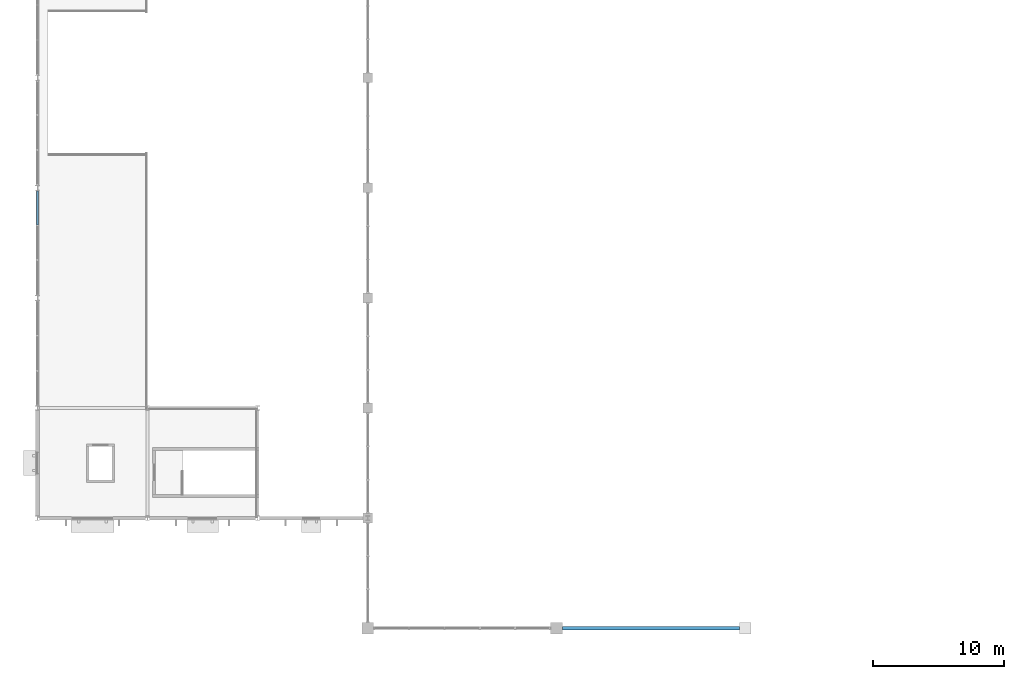
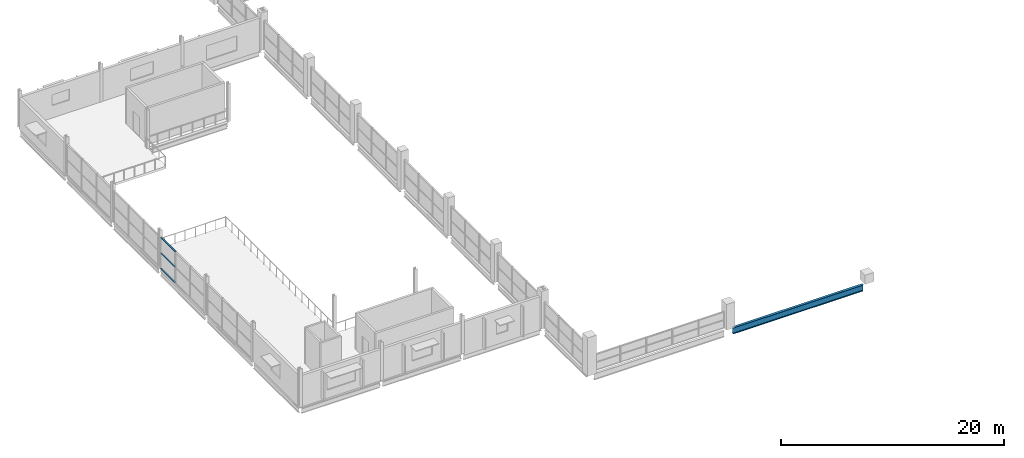
# One storey, part 17 of 68: 3 members, 1 beam, 1 element without a shape of its own.
"""IFC4 building model written with IfcOpenShell, lengths in metres."""

from ifc_helpers import new_model, si_unit, direction, frame, origin, origin_2d, place, context, subcontext, project, spatial, hollow_rectangle, i_section, extrude, material, material_profile, profile_set, type_object, element, aggregate, save


model = new_model("IFC4")

# Units and contexts
model_context = context("Model", 3, precision=1e-05, world=origin(), true_north=direction((0.0, 1.0)))
body_context = subcontext(model_context, "Body", "Model", "MODEL_VIEW")
ifc_project = project(units=[si_unit("LENGTHUNIT", "METRE"), si_unit("AREAUNIT", "SQUARE_METRE"), si_unit("VOLUMEUNIT", "CUBIC_METRE"), si_unit("PLANEANGLEUNIT", "RADIAN"), si_unit("MASSUNIT", "GRAM", prefix="KILO"), si_unit("THERMODYNAMICTEMPERATUREUNIT", "KELVIN")], contexts=[model_context])

# Site, building, storey
site_placement = place(None, origin())
site = spatial("IfcSite", under=ifc_project, at=site_placement, CompositionType="ELEMENT")
building_placement = place(site_placement, origin())
building = spatial("IfcBuilding", under=site, at=building_placement, Name="Nduvali Passage Aquatics Centre", CompositionType="ELEMENT")
storey_placement = place(building_placement, frame((0.0, 0.0, 13.199951171875)))
storey = spatial("IfcBuildingStorey", under=building, at=storey_placement, Name="L03", CompositionType="ELEMENT", Elevation=13.199951171875)

# Curtain wall, members
ifc_material_1 = material(Name="Aluminium EN AW-6063 T6", Category="aluminium")
curtain_wall_type = type_object("IfcCurtainWallType", Name="ENV-CW-DIVE", PredefinedType="NOTDEFINED", material=ifc_material_1)
curtain_wall_placement = place(storey_placement, origin())
curtain_wall = element("IfcCurtainWall", 1, at=curtain_wall_placement, inside=storey, type_object=curtain_wall_type, Name="L03 West Diving 10m Tower Clerestory CW 135", PredefinedType="NOTDEFINED")
ifc_material_profile_1 = material_profile(ifc_material_1, hollow_rectangle(XDim=0.14990234375, YDim=0.06005859375, WallThickness=0.00390625, at=origin_2d()), Name="ALU TRANSOM 150x60x4")
ifc_profile_set_1 = profile_set([ifc_material_profile_1], Name="Aluminium EN AW-6063 T6")
member_type = type_object("IfcMemberType", Name="ENV-MEM-TRN80", PredefinedType="USERDEFINED", material=ifc_profile_set_1)
member_1_placement = place(storey_placement, frame((0.0, 55.96337890625, 0.030029296875), z_axis=(0.0, 1.0, 0.0), x_axis=(-1.0, 0.0, 0.0)))
member_1 = element("IfcMember", 2, at=member_1_placement, type_object=member_type, Name="West Diving 10m Tower Clerestory CW Transom B3-R0", ObjectType="TRANSOM", PredefinedType="USERDEFINED", context=body_context, shape_type="SweptSolid", body=[
    extrude(hollow_rectangle(XDim=0.14990234375, YDim=0.06005859375, WallThickness=0.00390625, at=origin_2d()), origin(), (0.0, 0.0, 1.0), 2.57666015625),
])
member_2_placement = place(storey_placement, frame((0.0, 55.96337890625, 1.71337890625), z_axis=(0.0, 1.0, 0.0), x_axis=(-1.0, 0.0, 0.0)))
member_2 = element("IfcMember", 3, at=member_2_placement, type_object=member_type, Name="West Diving 10m Tower Clerestory CW Transom B3-R1", ObjectType="TRANSOM", PredefinedType="USERDEFINED", context=body_context, shape_type="SweptSolid", body=[
    extrude(hollow_rectangle(XDim=0.14990234375, YDim=0.06005859375, WallThickness=0.00390625, at=origin_2d()), origin(), (0.0, 0.0, 1.0), 2.57666015625),
])
member_3_placement = place(storey_placement, frame((0.0, 55.96337890625, 3.396728515625), z_axis=(0.0, 1.0, 0.0), x_axis=(-1.0, 0.0, 0.0)))
member_3 = element("IfcMember", 4, at=member_3_placement, type_object=member_type, Name="West Diving 10m Tower Clerestory CW Transom B3-R2", ObjectType="TRANSOM", PredefinedType="USERDEFINED", context=body_context, shape_type="SweptSolid", body=[
    extrude(hollow_rectangle(XDim=0.14990234375, YDim=0.06005859375, WallThickness=0.00390625, at=origin_2d()), origin(), (0.0, 0.0, 1.0), 2.57666015625),
])
aggregate(curtain_wall, [member_1, member_2, member_3])

# Beam
ifc_material_2 = material(Name="Steel S355", Category="steel")
ifc_material_profile_2 = material_profile(ifc_material_2, i_section(OverallWidth=0.253662109375, OverallDepth=0.68359375, WebThickness=0.012451171875, FlangeThickness=0.01904296875, FilletRadius=0.01513671875, at=origin_2d()), Name="UKB 686x254x140")
ifc_profile_set_2 = profile_set([ifc_material_profile_2], Name="Steel S355")
beam_type = type_object("IfcBeamType", Name="STR-BM-UKB686-EXT", PredefinedType="BEAM", material=ifc_profile_set_2)
beam_placement = place(storey_placement, frame((40.050048828125, 25.199951171875, -0.595703125), z_axis=(1.0, 0.0, 0.0), x_axis=(0.0, 1.0, 0.0)))
element("IfcBeam", 5, at=beam_placement, inside=storey, type_object=beam_type, Name="L03 Primary X-Girder B4E-1202", PredefinedType="BEAM", context=body_context, shape_type="SweptSolid", body=[
    extrude(i_section(OverallWidth=0.253662109375, OverallDepth=0.68359375, WebThickness=0.012451171875, FlangeThickness=0.01904296875, FilletRadius=0.01513671875, at=origin_2d()), origin(), (0.0, 0.0, 1.0), 13.5),
])

save(model, "model.ifc")
